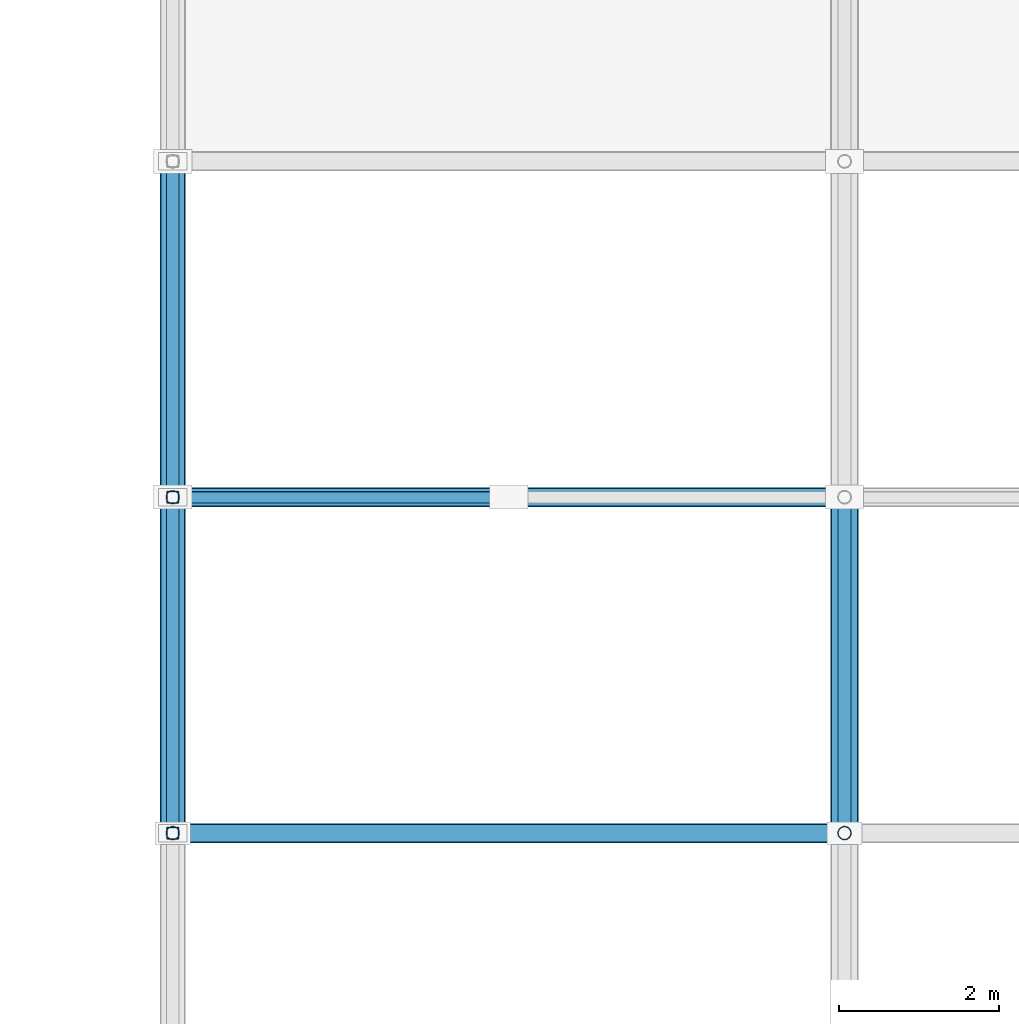
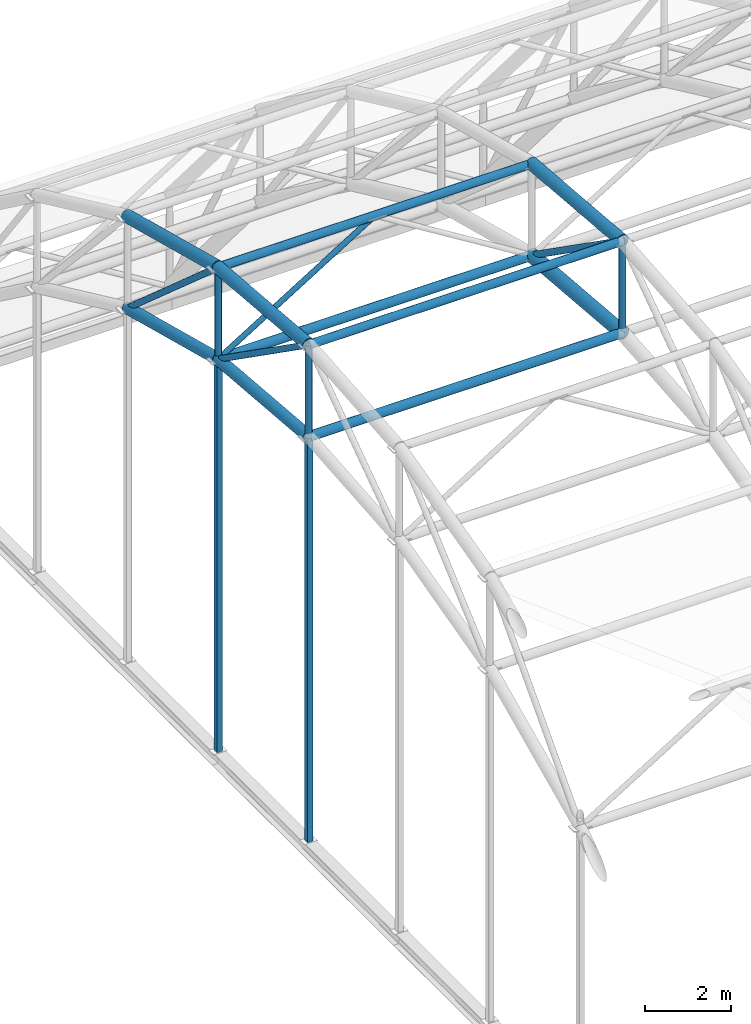
# One storey, part 13 of 103: 13 members, 6 beams.
"""IFC4 building model written with IfcOpenShell, lengths in metres."""

from ifc_helpers import new_model, si_unit, direction, frame, origin, origin_2d, place, context, subcontext, project, spatial, hollow_rectangle, hollow_circle, extrude, material, material_profile, profile_set, type_object, element, save


model = new_model("IFC4")

# Units and contexts
model_context = context("Model", 3, precision=1e-05, world=origin(), true_north=direction((0.0, 1.0)))
body_context = subcontext(model_context, "Body", "Model", "MODEL_VIEW")
ifc_project = project(units=[si_unit("LENGTHUNIT", "METRE"), si_unit("AREAUNIT", "SQUARE_METRE"), si_unit("VOLUMEUNIT", "CUBIC_METRE"), si_unit("PLANEANGLEUNIT", "RADIAN"), si_unit("MASSUNIT", "GRAM", prefix="KILO")], contexts=[model_context])

# Site, building, storey
site_placement = place(None, origin())
site = spatial("IfcSite", under=ifc_project, at=site_placement, CompositionType="ELEMENT")
building_placement = place(site_placement, origin())
building = spatial("IfcBuilding", under=site, at=building_placement, Name="Varnapada Polytechnic", CompositionType="ELEMENT")
storey_placement = place(building_placement, frame((0.0, 0.0, 18.0)))
storey = spatial("IfcBuildingStorey", under=building, at=storey_placement, Name="L04", CompositionType="ELEMENT", Elevation=18.0)

# Members
ifc_material = material(Name="Steel S355", Category="steel")
ifc_material_profile_1 = material_profile(ifc_material, hollow_rectangle(XDim=0.14990234375, YDim=0.14990234375, WallThickness=0.00634765625, InnerFilletRadius=0.006103515625, OuterFilletRadius=0.011962890625, at=origin_2d()), Name="SHS 150x150x6.3")
ifc_profile_set_1 = profile_set([ifc_material_profile_1], Name="Steel S355")
member_type_1 = type_object("IfcMemberType", Name="Sawtooth north-light mullion post SFP-02 (SHS 150x150x6.3)", PredefinedType="POST", material=ifc_profile_set_1)
member_1_placement = place(storey_placement, frame((50.39990234375, 105.0, 0.0), z_axis=(0.0, 0.0, 1.0), x_axis=(1.0, 0.0, 0.0)))
element("IfcMember", 1, at=member_1_placement, inside=storey, type_object=member_type_1, Name="Workshop arch tympanum mullion W.5", PredefinedType="POST", context=body_context, shape_type="SweptSolid", body=[
    extrude(hollow_rectangle(XDim=0.14990234375, YDim=0.14990234375, WallThickness=0.00634765625, InnerFilletRadius=0.006103515625, OuterFilletRadius=0.011962890625, at=origin_2d()), origin(), (0.0, 0.0, 1.0), 11.435302734375),
])
member_2_placement = place(storey_placement, frame((50.39990234375, 109.199951171875, 0.0), z_axis=(0.0, 0.0, 1.0), x_axis=(1.0, 0.0, 0.0)))
element("IfcMember", 2, at=member_2_placement, inside=storey, type_object=member_type_1, Name="Workshop arch tympanum mullion W.6", PredefinedType="POST", context=body_context, shape_type="SweptSolid", body=[
    extrude(hollow_rectangle(XDim=0.14990234375, YDim=0.14990234375, WallThickness=0.00634765625, InnerFilletRadius=0.006103515625, OuterFilletRadius=0.011962890625, at=origin_2d()), origin(), (0.0, 0.0, 1.0), 11.080078125),
])

# Beams
ifc_material_profile_2 = material_profile(ifc_material, hollow_circle(Radius=0.149169921875, WallThickness=0.010009765625, at=origin_2d()), Name="CHS 298.5x10.0")
ifc_profile_set_2 = profile_set([ifc_material_profile_2], Name="Steel S355")
beam_type_1 = type_object("IfcBeamType", Name="Space frame end-bay arch rib VA-04 (CHS 298.5x10.0)", PredefinedType="BEAM", material=ifc_profile_set_2)
beam_1_placement = place(storey_placement, frame((50.39990234375, 105.0, 11.435302734375), z_axis=(0.0, 0.99644233396, -0.084277369988), x_axis=(-1.0, 0.0, 0.0)))
element("IfcBeam", 3, at=beam_1_placement, inside=storey, type_object=beam_type_1, Name="Vaulted space frame bottom arch chord 1.6", PredefinedType="BEAM", context=body_context, shape_type="SweptSolid", body=[
    extrude(hollow_circle(Radius=0.149169921875, WallThickness=0.010009765625, at=origin_2d()), origin(), (0.0, 0.0, 1.0), 4.21484375),
])
beam_2_placement = place(storey_placement, frame((50.39990234375, 109.199951171875, 11.080078125), z_axis=(0.0, 0.967476176159, -0.252962148484), x_axis=(-1.0, 0.0, 0.0)))
element("IfcBeam", 4, at=beam_2_placement, inside=storey, type_object=beam_type_1, Name="Vaulted space frame bottom arch chord 1.7", PredefinedType="BEAM", context=body_context, shape_type="SweptSolid", body=[
    extrude(hollow_circle(Radius=0.149169921875, WallThickness=0.010009765625, at=origin_2d()), origin(), (0.0, 0.0, 1.0), 4.341064453125),
])

# Members
ifc_material_profile_3 = material_profile(ifc_material, hollow_circle(Radius=0.07958984375, WallThickness=0.00634765625, at=origin_2d()), Name="CHS 159.0x6.3")
ifc_profile_set_3 = profile_set([ifc_material_profile_3], Name="Steel S355")
member_type_2 = type_object("IfcMemberType", Name="Space frame perimeter web diagonal SFB-03 (CHS 159.0x6.3)", PredefinedType="BRACE", material=ifc_profile_set_3)
member_3_placement = place(storey_placement, frame((50.39990234375, 105.0, 14.035400390625), z_axis=(0.0, 0.817824649693, -0.575467498956), x_axis=(-1.0, 0.0, 0.0)))
element("IfcMember", 5, at=member_3_placement, inside=storey, type_object=member_type_2, Name="Vaulted space frame web diagonal 1.6", PredefinedType="BRACE", context=body_context, shape_type="SweptSolid", body=[
    extrude(hollow_circle(Radius=0.07958984375, WallThickness=0.00634765625, at=origin_2d()), origin(), (0.0, 0.0, 1.0), 5.135498046875),
])
member_4_placement = place(storey_placement, frame((50.39990234375, 109.199951171875, 13.679931640625), z_axis=(0.0, 0.750532603682, -0.660833421378), x_axis=(-1.0, 0.0, 0.0)))
element("IfcMember", 6, at=member_4_placement, inside=storey, type_object=member_type_2, Name="Vaulted space frame web diagonal 1.7", PredefinedType="BRACE", context=body_context, shape_type="SweptSolid", body=[
    extrude(hollow_circle(Radius=0.07958984375, WallThickness=0.00634765625, at=origin_2d()), origin(), (0.0, 0.0, 1.0), 5.595947265625),
])
ifc_material_profile_4 = material_profile(ifc_material, hollow_circle(Radius=0.122314453125, WallThickness=0.008056640625, at=origin_2d()), Name="CHS 244.5x8.0")
ifc_profile_set_4 = profile_set([ifc_material_profile_4], Name="Steel S355")
member_type_3 = type_object("IfcMemberType", Name="Vaulted space frame longitudinal bottom chord SFC-01 (CHS 244.5x8.0)", PredefinedType="CHORD", material=ifc_profile_set_4)
for number, where, z_axis, x_axis, name in (
    (7, (50.39990234375, 105.0, 11.435302734375), (1.0, 0.0, 0.0), (0.0, 1.0, 0.0), "Vaulted space frame longitudinal bottom chord 1.6"),
    (8, (50.39990234375, 109.199951171875, 11.080078125), (1.0, 0.0, 0.0), (0.0, 1.0, 0.0), "Vaulted space frame longitudinal bottom chord 1.7"),
):
    element("IfcMember", number, at=place(storey_placement, frame(where, z_axis=z_axis, x_axis=x_axis)), inside=storey, type_object=member_type_3, Name=name, PredefinedType="CHORD", context=body_context, shape_type="SweptSolid", body=[
        extrude(hollow_circle(Radius=0.122314453125, WallThickness=0.008056640625, at=origin_2d()), origin(), (0.0, 0.0, 1.0), 8.400146484375),
    ])
ifc_material_profile_5 = material_profile(ifc_material, hollow_circle(Radius=0.109619140625, WallThickness=0.008056640625, at=origin_2d()), Name="CHS 219.1x8.0")
ifc_profile_set_5 = profile_set([ifc_material_profile_5], Name="Steel S355")
member_type_4 = type_object("IfcMemberType", Name="Vaulted space frame longitudinal top chord SFC-02 (CHS 219.1x8.0)", PredefinedType="CHORD", material=ifc_profile_set_5)
for number, where, z_axis, x_axis, name in (
    (9, (50.39990234375, 105.0, 14.035400390625), (1.0, 0.0, 0.0), (0.0, 1.0, 0.0), "Vaulted space frame longitudinal top chord 1.6"),
    (10, (50.39990234375, 109.199951171875, 13.679931640625), (1.0, 0.0, 0.0), (0.0, 1.0, 0.0), "Vaulted space frame longitudinal top chord 1.7"),
):
    element("IfcMember", number, at=place(storey_placement, frame(where, z_axis=z_axis, x_axis=x_axis)), inside=storey, type_object=member_type_4, Name=name, PredefinedType="CHORD", context=body_context, shape_type="SweptSolid", body=[
        extrude(hollow_circle(Radius=0.109619140625, WallThickness=0.008056640625, at=origin_2d()), origin(), (0.0, 0.0, 1.0), 8.400146484375),
    ])

# Beam
ifc_material_profile_6 = material_profile(ifc_material, hollow_circle(Radius=0.177734375, WallThickness=0.012451171875, at=origin_2d()), Name="CHS 355.6x12.5")
ifc_profile_set_6 = profile_set([ifc_material_profile_6], Name="Steel S355")
beam_type_2 = type_object("IfcBeamType", Name="Vaulted space frame primary arch rib VA-01 (CHS 355.6x12.5)", PredefinedType="BEAM", material=ifc_profile_set_6)
beam_3_placement = place(storey_placement, frame((58.800048828125, 105.0, 11.435302734375), z_axis=(0.0, 0.99644233396, -0.084277369988), x_axis=(-1.0, 0.0, 0.0)))
element("IfcBeam", 11, at=beam_3_placement, inside=storey, type_object=beam_type_2, Name="Vaulted space frame bottom arch chord 2.6", PredefinedType="BEAM", context=body_context, shape_type="SweptSolid", body=[
    extrude(hollow_circle(Radius=0.177734375, WallThickness=0.012451171875, at=origin_2d()), origin(), (0.0, 0.0, 1.0), 4.21484375),
])

# Members
ifc_material_profile_7 = material_profile(ifc_material, hollow_circle(Radius=0.084228515625, WallThickness=0.00634765625, at=origin_2d()), Name="CHS 168.3x6.3")
ifc_profile_set_7 = profile_set([ifc_material_profile_7], Name="Steel S355")
member_type_5 = type_object("IfcMemberType", Name="Vaulted space frame primary web diagonal SFB-01 (CHS 168.3x6.3)", PredefinedType="BRACE", material=ifc_profile_set_7)
member_5_placement = place(storey_placement, frame((58.800048828125, 105.0, 14.035400390625), z_axis=(0.0, 0.817824649693, -0.575467498956), x_axis=(-1.0, 0.0, 0.0)))
element("IfcMember", 12, at=member_5_placement, inside=storey, type_object=member_type_5, Name="Vaulted space frame web diagonal 2.6", PredefinedType="BRACE", context=body_context, shape_type="SweptSolid", body=[
    extrude(hollow_circle(Radius=0.084228515625, WallThickness=0.00634765625, at=origin_2d()), origin(), (0.0, 0.0, 1.0), 5.135498046875),
])
ifc_material_profile_8 = material_profile(ifc_material, hollow_circle(Radius=0.084228515625, WallThickness=0.00634765625, at=origin_2d()), Name="CHS 168.3x6.3")
ifc_profile_set_8 = profile_set([ifc_material_profile_8], Name="Steel S355")
member_type_6 = type_object("IfcMemberType", Name="Vaulted space frame radial web strut SFS-01 (CHS 168.3x6.3)", PredefinedType="STRUT", material=ifc_profile_set_8)
member_6_placement = place(storey_placement, frame((50.39990234375, 105.0, 11.435302734375), z_axis=(0.0, 0.0, 1.0), x_axis=(1.0, 0.0, 0.0)))
element("IfcMember", 13, at=member_6_placement, inside=storey, type_object=member_type_6, Name="Vaulted space frame strut 1.6", PredefinedType="STRUT", context=body_context, shape_type="SweptSolid", body=[
    extrude(hollow_circle(Radius=0.084228515625, WallThickness=0.00634765625, at=origin_2d()), origin(), (0.0, 0.0, 1.0), 2.60009765625),
])
member_7_placement = place(storey_placement, frame((50.39990234375, 109.199951171875, 11.080078125), z_axis=(0.0, 0.0, 1.0), x_axis=(1.0, 0.0, 0.0)))
element("IfcMember", 14, at=member_7_placement, inside=storey, type_object=member_type_6, Name="Vaulted space frame strut 1.7", PredefinedType="STRUT", context=body_context, shape_type="SweptSolid", body=[
    extrude(hollow_circle(Radius=0.084228515625, WallThickness=0.00634765625, at=origin_2d()), origin(), (0.0, 0.0, 1.0), 2.599853515625),
])
member_8_placement = place(storey_placement, frame((58.800048828125, 105.0, 11.435302734375), z_axis=(0.0, 0.0, 1.0), x_axis=(1.0, 0.0, 0.0)))
element("IfcMember", 15, at=member_8_placement, inside=storey, type_object=member_type_6, Name="Vaulted space frame strut 2.6", PredefinedType="STRUT", context=body_context, shape_type="SweptSolid", body=[
    extrude(hollow_circle(Radius=0.084228515625, WallThickness=0.00634765625, at=origin_2d()), origin(), (0.0, 0.0, 1.0), 2.60009765625),
])
ifc_material_profile_9 = material_profile(ifc_material, hollow_circle(Radius=0.06982421875, WallThickness=0.0048828125, at=origin_2d()), Name="CHS 139.7x5.0")
ifc_profile_set_9 = profile_set([ifc_material_profile_9], Name="Steel S355")
member_type_7 = type_object("IfcMemberType", Name="Vaulted space frame secondary web diagonal SFB-02 (CHS 139.7x5.0)", PredefinedType="BRACE", material=ifc_profile_set_9)
member_9_placement = place(storey_placement, frame((50.39990234375, 109.199951171875, 11.080078125), z_axis=(0.850289371618, 0.0, 0.526315480025), x_axis=(0.0, 1.0, 0.0)))
element("IfcMember", 16, at=member_9_placement, inside=storey, type_object=member_type_7, Name="Vaulted space frame longitudinal brace 1.7A", PredefinedType="BRACE", context=body_context, shape_type="SweptSolid", body=[
    extrude(hollow_circle(Radius=0.06982421875, WallThickness=0.0048828125, at=origin_2d()), origin(), (0.0, 0.0, 1.0), 4.939697265625),
])

# Beams
ifc_material_profile_10 = material_profile(ifc_material, hollow_circle(Radius=0.161865234375, WallThickness=0.010009765625, at=origin_2d()), Name="CHS 323.9x10.0")
ifc_profile_set_10 = profile_set([ifc_material_profile_10], Name="Steel S355")
beam_type_3 = type_object("IfcBeamType", Name="Vaulted space frame upper arch rib VA-02 (CHS 323.9x10.0)", PredefinedType="BEAM", material=ifc_profile_set_10)
beam_4_placement = place(storey_placement, frame((50.39990234375, 105.0, 14.035400390625), z_axis=(0.0, 0.996437468128, -0.084334880753), x_axis=(-1.0, 0.0, 0.0)))
element("IfcBeam", 17, at=beam_4_placement, inside=storey, type_object=beam_type_3, Name="Vaulted space frame top arch chord 1.6", PredefinedType="BEAM", context=body_context, shape_type="SweptSolid", body=[
    extrude(hollow_circle(Radius=0.161865234375, WallThickness=0.010009765625, at=origin_2d()), origin(), (0.0, 0.0, 1.0), 4.215087890625),
])
beam_5_placement = place(storey_placement, frame((50.39990234375, 109.199951171875, 13.679931640625), z_axis=(0.0, 0.967476176159, -0.252962148484), x_axis=(-1.0, 0.0, 0.0)))
element("IfcBeam", 18, at=beam_5_placement, inside=storey, type_object=beam_type_3, Name="Vaulted space frame top arch chord 1.7", PredefinedType="BEAM", context=body_context, shape_type="SweptSolid", body=[
    extrude(hollow_circle(Radius=0.161865234375, WallThickness=0.010009765625, at=origin_2d()), origin(), (0.0, 0.0, 1.0), 4.341064453125),
])
beam_6_placement = place(storey_placement, frame((58.800048828125, 105.0, 14.035400390625), z_axis=(0.0, 0.996437468128, -0.084334880753), x_axis=(-1.0, 0.0, 0.0)))
element("IfcBeam", 19, at=beam_6_placement, inside=storey, type_object=beam_type_3, Name="Vaulted space frame top arch chord 2.6", PredefinedType="BEAM", context=body_context, shape_type="SweptSolid", body=[
    extrude(hollow_circle(Radius=0.161865234375, WallThickness=0.010009765625, at=origin_2d()), origin(), (0.0, 0.0, 1.0), 4.215087890625),
])

save(model, "model.ifc")
